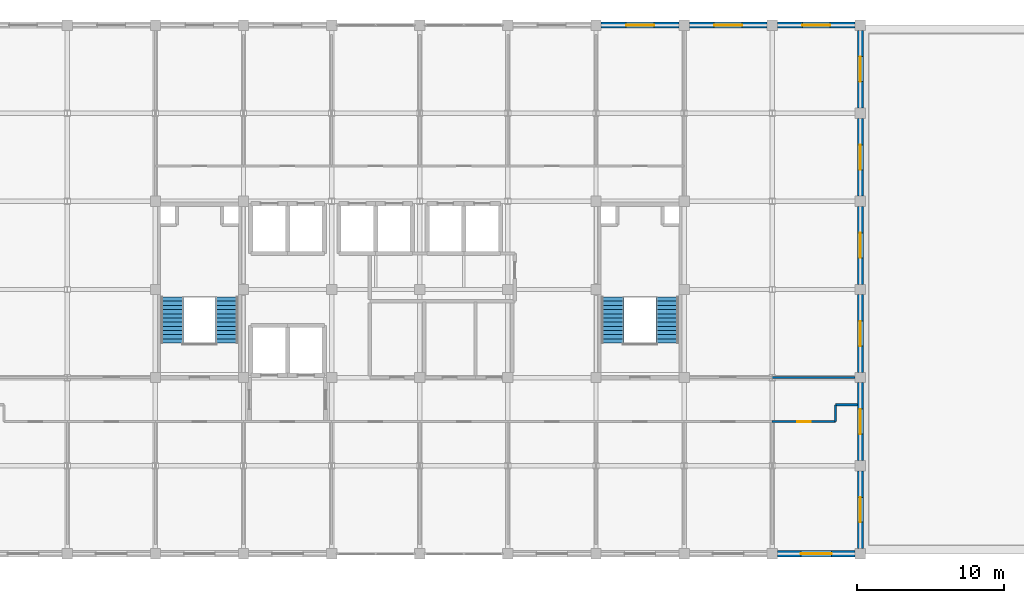
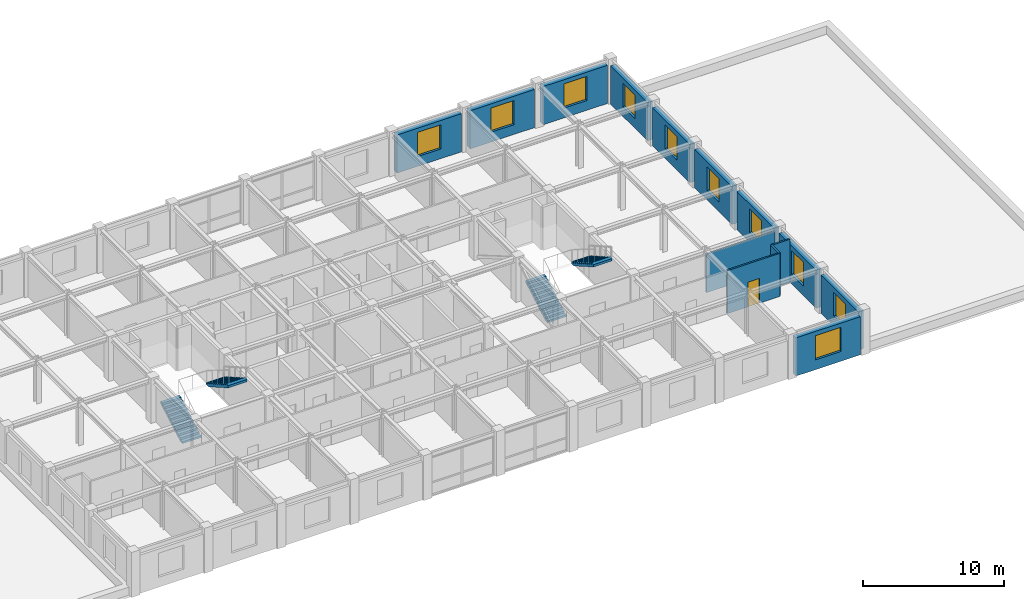
# One storey, part 11 of 13: 14 walls, 10 windows, 4 stair flights, 1 door, 11 openings, 2 elements without a shape of their own.
"""IFC4 building model written with IfcOpenShell, lengths in metres."""

from ifc_helpers import new_model, si_unit, direction, frame, frame_2d, origin, place, context, subcontext, project, spatial, polyline, rectangle, outline, extrude, material, layer, layer_set, type_object, element, fill, aggregate, save


model = new_model("IFC4")

# Units and contexts
model_context = context("Model", 3, precision=1e-05, world=origin(), true_north=direction((0.0, 1.0)))
body_context = subcontext(model_context, "Body", "Model", "MODEL_VIEW")
ifc_project = project(units=[si_unit("LENGTHUNIT", "METRE"), si_unit("AREAUNIT", "SQUARE_METRE"), si_unit("VOLUMEUNIT", "CUBIC_METRE"), si_unit("PLANEANGLEUNIT", "RADIAN"), si_unit("MASSUNIT", "GRAM", prefix="KILO")], contexts=[model_context])

# Site, building, storey
site_placement = place(None, origin())
site = spatial("IfcSite", under=ifc_project, at=site_placement, CompositionType="ELEMENT")
building_placement = place(site_placement, origin())
building = spatial("IfcBuilding", under=site, at=building_placement, Name="Zlatovratsky Civic Hall", CompositionType="ELEMENT")
storey_placement = place(building_placement, frame((0.0, 0.0, 24.89990234375)))
storey = spatial("IfcBuildingStorey", under=building, at=storey_placement, Name="L06", CompositionType="ELEMENT", Elevation=24.89990234375)

# Wall, opening, door
ifc_material_1 = material(Name="Fire-rated gypsum board framing", Category="gypsum")
ifc_layer_1 = layer(ifc_material_1, 0.139892578125)
ifc_layer_set_1 = layer_set([ifc_layer_1], Name="Fire-rated gypsum board framing")
wall_type_1 = type_object("IfcWallType", Name="Wall_OfficePartition_140", PredefinedType="PARTITIONING", material=ifc_layer_set_1)
wall_1_placement = place(storey_placement, frame((108.0, 81.0, 0.0), z_axis=(0.0, 0.0, 1.0), x_axis=(1.0, 0.0, 0.0)))
wall_1 = element("IfcWall", 1, at=wall_1_placement, inside=storey, type_object=wall_type_1, Name="WL-6311", PredefinedType="PARTITIONING", context=body_context, shape_type="SweptSolid", body=[
    extrude(rectangle(XDim=4.300048828125, YDim=0.139892578125, at=frame_2d((2.14990234375, 0.0))), origin(), (0.0, 0.0, 1.0), 3.739990234375),
])
opening_1_placement = place(wall_1_placement, frame((1.68994140625, 0.0, 0.0)))
opening_1 = element("IfcOpeningElement", 2, at=opening_1_placement, cuts=wall_1, Name="Opening D-23", PredefinedType="OPENING", context=body_context, shape_type="SweptSolid", body=[
    extrude(rectangle(XDim=0.919921875, YDim=2.14990234375, at=frame_2d((0.4599609375, 1.074951171875))), frame((0.0, 0.0849609375, 0.0), z_axis=(0.0, -1.0, 0.0), x_axis=(1.0, 0.0, 0.0)), (0.0, 0.0, 1.0), 0.169677734375),
])
ifc_material_2 = material(Name="Solid oak joinery in steel frame", Category="steel")
door_type = type_object("IfcDoorType", Name="Door_OfficeStandard_920x2150", OperationType="NOTDEFINED", PredefinedType="DOOR", material=ifc_material_2)
door_placement = place(opening_1_placement, origin())
door = element("IfcDoor", 3, at=door_placement, inside=storey, type_object=door_type, Name="DR-5368", OperationType="SINGLE_SWING_RIGHT", OverallHeight=2.14990234375, OverallWidth=0.919921875, PredefinedType="DOOR", context=body_context, shape_type="SweptSolid", body=[
    extrude(rectangle(XDim=0.919921875, YDim=2.14990234375, at=frame_2d((0.4599609375, 1.074951171875))), frame((0.0, 0.02490234375, 0.0), z_axis=(0.0, -1.0, 0.0), x_axis=(1.0, 0.0, 0.0)), (0.0, 0.0, 1.0), 0.050048828125),
])
fill(opening_1, door)

# Walls
wall_2_placement = place(storey_placement, frame((112.300048828125, 81.0, 0.0), z_axis=(0.0, 0.0, 1.0), x_axis=(0.0, 1.0, 0.0)))
element("IfcWall", 4, at=wall_2_placement, inside=storey, type_object=wall_type_1, Name="WL-6341", PredefinedType="PARTITIONING", context=body_context, shape_type="SweptSolid", body=[
    extrude(rectangle(XDim=1.14990234375, YDim=0.139892578125, at=frame_2d((0.574951171875, 0.0))), origin(), (0.0, 0.0, 1.0), 3.739990234375),
])
wall_3_placement = place(storey_placement, frame((112.300048828125, 82.14990234375, 0.0), z_axis=(0.0, 0.0, 1.0), x_axis=(1.0, 0.0, 0.0)))
element("IfcWall", 5, at=wall_3_placement, inside=storey, type_object=wall_type_1, Name="WL-6342", PredefinedType="PARTITIONING", context=body_context, shape_type="SweptSolid", body=[
    extrude(rectangle(XDim=1.489990234375, YDim=0.139892578125, at=frame_2d((0.7451171875, 0.0))), origin(), (0.0, 0.0, 1.0), 3.739990234375),
])
wall_4_placement = place(storey_placement, frame((108.0, 84.0, 0.0), z_axis=(0.0, 0.0, 1.0), x_axis=(1.0, 0.0, 0.0)))
element("IfcWall", 6, at=wall_4_placement, inside=storey, type_object=wall_type_1, Name="WL-6346", PredefinedType="PARTITIONING", context=body_context, shape_type="SweptSolid", body=[
    extrude(rectangle(XDim=5.64990234375, YDim=0.139892578125, at=frame_2d((2.824951171875, 0.0))), origin(), (0.0, 0.0, 1.0), 3.35205078125),
])

# Wall, opening, window
ifc_material_3 = material(Name="Acoustic ceramic blockwork", Category="masonry")
ifc_layer_2 = layer(ifc_material_3, 0.280029296875, Name="Backing")
ifc_material_4 = material(Name="Podolsk limestone ashlar", Category="masonry")
ifc_layer_3 = layer(ifc_material_4, 0.139892578125, Name="Finish")
ifc_layer_set_2 = layer_set([ifc_layer_2, ifc_layer_3], Name="Acoustic ceramic blockwork")
wall_type_2 = type_object("IfcWallType", Name="Wall_TowerLimestoneAshlar_420", PredefinedType="SOLIDWALL", material=ifc_layer_set_2)
wall_5_placement = place(storey_placement, frame((108.35009765625, 72.0, 0.0), z_axis=(0.0, 0.0, 1.0), x_axis=(1.0, 0.0, 0.0)))
wall_5 = element("IfcWall", 7, at=wall_5_placement, inside=storey, type_object=wall_type_2, Name="WL-0424", PredefinedType="SOLIDWALL", context=body_context, shape_type="SweptSolid", body=[
    extrude(rectangle(XDim=5.2998046875, YDim=0.419921875, at=frame_2d((2.64990234375, 0.0))), origin(), (0.0, 0.0, 1.0), 3.320068359375),
])
opening_2_placement = place(wall_5_placement, frame((1.60009765625, 0.0, 0.85009765625)))
opening_2 = element("IfcOpeningElement", 8, at=opening_2_placement, cuts=wall_5, Name="Opening WN-14", PredefinedType="OPENING", context=body_context, shape_type="SweptSolid", body=[
    extrude(rectangle(XDim=2.10009765625, YDim=2.10009765625, at=frame_2d((1.050048828125, 1.050048828125))), frame((0.0, 0.224853515625, 0.0), z_axis=(0.0, -1.0, 0.0), x_axis=(1.0, 0.0, 0.0)), (0.0, 0.0, 1.0), 0.44970703125),
])
ifc_material_5 = material(Name="Low-E laminated double glazing", Category="glass")
window_type_1 = type_object("IfcWindowType", Name="Window_TowerTier1South_2100x2100", PartitioningType="SINGLE_PANEL", PredefinedType="WINDOW", material=ifc_material_5)
window_1_placement = place(opening_2_placement, origin())
window_1 = element("IfcWindow", 9, at=window_1_placement, inside=storey, type_object=window_type_1, Name="WN-0328", OverallHeight=2.10009765625, OverallWidth=2.10009765625, PartitioningType="SINGLE_PANEL", PredefinedType="WINDOW", context=body_context, shape_type="SweptSolid", body=[
    extrude(rectangle(XDim=2.10009765625, YDim=2.10009765625, at=frame_2d((1.050048828125, 1.050048828125))), frame((0.0, 0.030029296875, 0.0), z_axis=(0.0, -1.0, 0.0), x_axis=(1.0, 0.0, 0.0)), (0.0, 0.0, 1.0), 0.06005859375),
])
fill(opening_2, window_1)

wall_6_placement = place(storey_placement, frame((96.35009765625, 108.0, 0.0), z_axis=(0.0, 0.0, 1.0), x_axis=(1.0, 0.0, 0.0)))
wall_6 = element("IfcWall", 10, at=wall_6_placement, inside=storey, type_object=wall_type_2, Name="WL-0430", PredefinedType="SOLIDWALL", context=body_context, shape_type="SweptSolid", body=[
    extrude(rectangle(XDim=5.2998046875, YDim=0.419921875, at=frame_2d((2.64990234375, 0.0))), origin(), (0.0, 0.0, 1.0), 3.320068359375),
])
opening_3_placement = place(wall_6_placement, frame((1.699951171875, 0.0, 0.85009765625)))
opening_3 = element("IfcOpeningElement", 11, at=opening_3_placement, cuts=wall_6, Name="Opening WN-15", PredefinedType="OPENING", context=body_context, shape_type="SweptSolid", body=[
    extrude(rectangle(XDim=1.89990234375, YDim=2.10009765625, at=frame_2d((0.949951171875, 1.050048828125))), frame((0.0, 0.224853515625, 0.0), z_axis=(0.0, -1.0, 0.0), x_axis=(1.0, 0.0, 0.0)), (0.0, 0.0, 1.0), 0.44970703125),
])
window_type_2 = type_object("IfcWindowType", Name="Window_TowerTier1North_1900x2100", PartitioningType="SINGLE_PANEL", PredefinedType="WINDOW", material=ifc_material_5)
window_2_placement = place(opening_3_placement, origin())
window_2 = element("IfcWindow", 12, at=window_2_placement, inside=storey, type_object=window_type_2, Name="WN-0334", OverallHeight=2.10009765625, OverallWidth=1.89990234375, PartitioningType="SINGLE_PANEL", PredefinedType="WINDOW", context=body_context, shape_type="SweptSolid", body=[
    extrude(rectangle(XDim=1.89990234375, YDim=2.10009765625, at=frame_2d((0.949951171875, 1.050048828125))), frame((0.0, 0.030029296875, 0.0), z_axis=(0.0, -1.0, 0.0), x_axis=(1.0, 0.0, 0.0)), (0.0, 0.0, 1.0), 0.06005859375),
])
fill(opening_3, window_2)

wall_7_placement = place(storey_placement, frame((102.35009765625, 108.0, 0.0), z_axis=(0.0, 0.0, 1.0), x_axis=(1.0, 0.0, 0.0)))
wall_7 = element("IfcWall", 13, at=wall_7_placement, inside=storey, type_object=wall_type_2, Name="WL-0431", PredefinedType="SOLIDWALL", context=body_context, shape_type="SweptSolid", body=[
    extrude(rectangle(XDim=5.2998046875, YDim=0.419921875, at=frame_2d((2.64990234375, 0.0))), origin(), (0.0, 0.0, 1.0), 3.320068359375),
])
opening_4_placement = place(wall_7_placement, frame((1.699951171875, 0.0, 0.85009765625)))
opening_4 = element("IfcOpeningElement", 14, at=opening_4_placement, cuts=wall_7, Name="Opening WN-15", PredefinedType="OPENING", context=body_context, shape_type="SweptSolid", body=[
    extrude(rectangle(XDim=1.89990234375, YDim=2.10009765625, at=frame_2d((0.949951171875, 1.050048828125))), frame((0.0, 0.224853515625, 0.0), z_axis=(0.0, -1.0, 0.0), x_axis=(1.0, 0.0, 0.0)), (0.0, 0.0, 1.0), 0.44970703125),
])
window_3_placement = place(opening_4_placement, origin())
window_3 = element("IfcWindow", 15, at=window_3_placement, inside=storey, type_object=window_type_2, Name="WN-0335", OverallHeight=2.10009765625, OverallWidth=1.89990234375, PartitioningType="SINGLE_PANEL", PredefinedType="WINDOW", context=body_context, shape_type="SweptSolid", body=[
    extrude(rectangle(XDim=1.89990234375, YDim=2.10009765625, at=frame_2d((0.949951171875, 1.050048828125))), frame((0.0, 0.030029296875, 0.0), z_axis=(0.0, -1.0, 0.0), x_axis=(1.0, 0.0, 0.0)), (0.0, 0.0, 1.0), 0.06005859375),
])
fill(opening_4, window_3)

wall_8_placement = place(storey_placement, frame((108.35009765625, 108.0, 0.0), z_axis=(0.0, 0.0, 1.0), x_axis=(1.0, 0.0, 0.0)))
wall_8 = element("IfcWall", 16, at=wall_8_placement, inside=storey, type_object=wall_type_2, Name="WL-0432", PredefinedType="SOLIDWALL", context=body_context, shape_type="SweptSolid", body=[
    extrude(rectangle(XDim=5.2998046875, YDim=0.419921875, at=frame_2d((2.64990234375, 0.0))), origin(), (0.0, 0.0, 1.0), 3.320068359375),
])
opening_5_placement = place(wall_8_placement, frame((1.699951171875, 0.0, 0.85009765625)))
opening_5 = element("IfcOpeningElement", 17, at=opening_5_placement, cuts=wall_8, Name="Opening WN-15", PredefinedType="OPENING", context=body_context, shape_type="SweptSolid", body=[
    extrude(rectangle(XDim=1.89990234375, YDim=2.10009765625, at=frame_2d((0.949951171875, 1.050048828125))), frame((0.0, 0.224853515625, 0.0), z_axis=(0.0, -1.0, 0.0), x_axis=(1.0, 0.0, 0.0)), (0.0, 0.0, 1.0), 0.44970703125),
])
window_4_placement = place(opening_5_placement, origin())
window_4 = element("IfcWindow", 18, at=window_4_placement, inside=storey, type_object=window_type_2, Name="WN-0336", OverallHeight=2.10009765625, OverallWidth=1.89990234375, PartitioningType="SINGLE_PANEL", PredefinedType="WINDOW", context=body_context, shape_type="SweptSolid", body=[
    extrude(rectangle(XDim=1.89990234375, YDim=2.10009765625, at=frame_2d((0.949951171875, 1.050048828125))), frame((0.0, 0.030029296875, 0.0), z_axis=(0.0, -1.0, 0.0), x_axis=(1.0, 0.0, 0.0)), (0.0, 0.0, 1.0), 0.06005859375),
])
fill(opening_5, window_4)

wall_9_placement = place(storey_placement, frame((114.0, 72.35009765625, 0.0), z_axis=(0.0, 0.0, 1.0), x_axis=(0.0, 1.0, 0.0)))
wall_9 = element("IfcWall", 19, at=wall_9_placement, inside=storey, type_object=wall_type_2, Name="WL-0439", PredefinedType="SOLIDWALL", context=body_context, shape_type="SweptSolid", body=[
    extrude(rectangle(XDim=5.2998046875, YDim=0.419921875, at=frame_2d((2.64990234375, 0.0))), origin(), (0.0, 0.0, 1.0), 3.320068359375),
])
opening_6_placement = place(wall_9_placement, frame((1.800048828125, 0.0, 0.85009765625)))
opening_6 = element("IfcOpeningElement", 20, at=opening_6_placement, cuts=wall_9, Name="Opening WN-16", PredefinedType="OPENING", context=body_context, shape_type="SweptSolid", body=[
    extrude(rectangle(XDim=1.699951171875, YDim=2.050048828125, at=frame_2d((0.85009765625, 1.02490234375))), frame((0.0, 0.224853515625, 0.0), z_axis=(0.0, -1.0, 0.0), x_axis=(1.0, 0.0, 0.0)), (0.0, 0.0, 1.0), 0.44970703125),
])
window_type_3 = type_object("IfcWindowType", Name="Window_TowerTier1Flank_1700x2050", PartitioningType="SINGLE_PANEL", PredefinedType="WINDOW", material=ifc_material_5)
window_5_placement = place(opening_6_placement, origin())
window_5 = element("IfcWindow", 21, at=window_5_placement, inside=storey, type_object=window_type_3, Name="WN-0343", OverallHeight=2.050048828125, OverallWidth=1.699951171875, PartitioningType="SINGLE_PANEL", PredefinedType="WINDOW", context=body_context, shape_type="SweptSolid", body=[
    extrude(rectangle(XDim=1.699951171875, YDim=2.050048828125, at=frame_2d((0.85009765625, 1.02490234375))), frame((0.0, 0.030029296875, 0.0), z_axis=(0.0, -1.0, 0.0), x_axis=(1.0, 0.0, 0.0)), (0.0, 0.0, 1.0), 0.06005859375),
])
fill(opening_6, window_5)

wall_10_placement = place(storey_placement, frame((114.0, 78.35009765625, 0.0), z_axis=(0.0, 0.0, 1.0), x_axis=(0.0, 1.0, 0.0)))
wall_10 = element("IfcWall", 22, at=wall_10_placement, inside=storey, type_object=wall_type_2, Name="WL-0440", PredefinedType="SOLIDWALL", context=body_context, shape_type="SweptSolid", body=[
    extrude(rectangle(XDim=5.2998046875, YDim=0.419921875, at=frame_2d((2.64990234375, 0.0))), origin(), (0.0, 0.0, 1.0), 3.320068359375),
])
opening_7_placement = place(wall_10_placement, frame((1.800048828125, 0.0, 0.85009765625)))
opening_7 = element("IfcOpeningElement", 23, at=opening_7_placement, cuts=wall_10, Name="Opening WN-16", PredefinedType="OPENING", context=body_context, shape_type="SweptSolid", body=[
    extrude(rectangle(XDim=1.699951171875, YDim=2.050048828125, at=frame_2d((0.85009765625, 1.02490234375))), frame((0.0, 0.224853515625, 0.0), z_axis=(0.0, -1.0, 0.0), x_axis=(1.0, 0.0, 0.0)), (0.0, 0.0, 1.0), 0.44970703125),
])
window_6_placement = place(opening_7_placement, origin())
window_6 = element("IfcWindow", 24, at=window_6_placement, inside=storey, type_object=window_type_3, Name="WN-0344", OverallHeight=2.050048828125, OverallWidth=1.699951171875, PartitioningType="SINGLE_PANEL", PredefinedType="WINDOW", context=body_context, shape_type="SweptSolid", body=[
    extrude(rectangle(XDim=1.699951171875, YDim=2.050048828125, at=frame_2d((0.85009765625, 1.02490234375))), frame((0.0, 0.030029296875, 0.0), z_axis=(0.0, -1.0, 0.0), x_axis=(1.0, 0.0, 0.0)), (0.0, 0.0, 1.0), 0.06005859375),
])
fill(opening_7, window_6)

wall_11_placement = place(storey_placement, frame((114.0, 84.35009765625, 0.0), z_axis=(0.0, 0.0, 1.0), x_axis=(0.0, 1.0, 0.0)))
wall_11 = element("IfcWall", 25, at=wall_11_placement, inside=storey, type_object=wall_type_2, Name="WL-0441", PredefinedType="SOLIDWALL", context=body_context, shape_type="SweptSolid", body=[
    extrude(rectangle(XDim=5.2998046875, YDim=0.419921875, at=frame_2d((2.64990234375, 0.0))), origin(), (0.0, 0.0, 1.0), 3.320068359375),
])
opening_8_placement = place(wall_11_placement, frame((1.800048828125, 0.0, 0.85009765625)))
opening_8 = element("IfcOpeningElement", 26, at=opening_8_placement, cuts=wall_11, Name="Opening WN-16", PredefinedType="OPENING", context=body_context, shape_type="SweptSolid", body=[
    extrude(rectangle(XDim=1.699951171875, YDim=2.050048828125, at=frame_2d((0.85009765625, 1.02490234375))), frame((0.0, 0.224853515625, 0.0), z_axis=(0.0, -1.0, 0.0), x_axis=(1.0, 0.0, 0.0)), (0.0, 0.0, 1.0), 0.44970703125),
])
window_7_placement = place(opening_8_placement, origin())
window_7 = element("IfcWindow", 27, at=window_7_placement, inside=storey, type_object=window_type_3, Name="WN-0345", OverallHeight=2.050048828125, OverallWidth=1.699951171875, PartitioningType="SINGLE_PANEL", PredefinedType="WINDOW", context=body_context, shape_type="SweptSolid", body=[
    extrude(rectangle(XDim=1.699951171875, YDim=2.050048828125, at=frame_2d((0.85009765625, 1.02490234375))), frame((0.0, 0.030029296875, 0.0), z_axis=(0.0, -1.0, 0.0), x_axis=(1.0, 0.0, 0.0)), (0.0, 0.0, 1.0), 0.06005859375),
])
fill(opening_8, window_7)

wall_12_placement = place(storey_placement, frame((114.0, 90.35009765625, 0.0), z_axis=(0.0, 0.0, 1.0), x_axis=(0.0, 1.0, 0.0)))
wall_12 = element("IfcWall", 28, at=wall_12_placement, inside=storey, type_object=wall_type_2, Name="WL-0442", PredefinedType="SOLIDWALL", context=body_context, shape_type="SweptSolid", body=[
    extrude(rectangle(XDim=5.2998046875, YDim=0.419921875, at=frame_2d((2.64990234375, 0.0))), origin(), (0.0, 0.0, 1.0), 3.320068359375),
])
opening_9_placement = place(wall_12_placement, frame((1.800048828125, 0.0, 0.85009765625)))
opening_9 = element("IfcOpeningElement", 29, at=opening_9_placement, cuts=wall_12, Name="Opening WN-16", PredefinedType="OPENING", context=body_context, shape_type="SweptSolid", body=[
    extrude(rectangle(XDim=1.699951171875, YDim=2.050048828125, at=frame_2d((0.85009765625, 1.02490234375))), frame((0.0, 0.224853515625, 0.0), z_axis=(0.0, -1.0, 0.0), x_axis=(1.0, 0.0, 0.0)), (0.0, 0.0, 1.0), 0.44970703125),
])
window_8_placement = place(opening_9_placement, origin())
window_8 = element("IfcWindow", 30, at=window_8_placement, inside=storey, type_object=window_type_3, Name="WN-0346", OverallHeight=2.050048828125, OverallWidth=1.699951171875, PartitioningType="SINGLE_PANEL", PredefinedType="WINDOW", context=body_context, shape_type="SweptSolid", body=[
    extrude(rectangle(XDim=1.699951171875, YDim=2.050048828125, at=frame_2d((0.85009765625, 1.02490234375))), frame((0.0, 0.030029296875, 0.0), z_axis=(0.0, -1.0, 0.0), x_axis=(1.0, 0.0, 0.0)), (0.0, 0.0, 1.0), 0.06005859375),
])
fill(opening_9, window_8)

wall_13_placement = place(storey_placement, frame((114.0, 96.35009765625, 0.0), z_axis=(0.0, 0.0, 1.0), x_axis=(0.0, 1.0, 0.0)))
wall_13 = element("IfcWall", 31, at=wall_13_placement, inside=storey, type_object=wall_type_2, Name="WL-0443", PredefinedType="SOLIDWALL", context=body_context, shape_type="SweptSolid", body=[
    extrude(rectangle(XDim=5.2998046875, YDim=0.419921875, at=frame_2d((2.64990234375, 0.0))), origin(), (0.0, 0.0, 1.0), 3.320068359375),
])
opening_10_placement = place(wall_13_placement, frame((1.800048828125, 0.0, 0.85009765625)))
opening_10 = element("IfcOpeningElement", 32, at=opening_10_placement, cuts=wall_13, Name="Opening WN-16", PredefinedType="OPENING", context=body_context, shape_type="SweptSolid", body=[
    extrude(rectangle(XDim=1.699951171875, YDim=2.050048828125, at=frame_2d((0.85009765625, 1.02490234375))), frame((0.0, 0.224853515625, 0.0), z_axis=(0.0, -1.0, 0.0), x_axis=(1.0, 0.0, 0.0)), (0.0, 0.0, 1.0), 0.44970703125),
])
window_9_placement = place(opening_10_placement, origin())
window_9 = element("IfcWindow", 33, at=window_9_placement, inside=storey, type_object=window_type_3, Name="WN-0347", OverallHeight=2.050048828125, OverallWidth=1.699951171875, PartitioningType="SINGLE_PANEL", PredefinedType="WINDOW", context=body_context, shape_type="SweptSolid", body=[
    extrude(rectangle(XDim=1.699951171875, YDim=2.050048828125, at=frame_2d((0.85009765625, 1.02490234375))), frame((0.0, 0.030029296875, 0.0), z_axis=(0.0, -1.0, 0.0), x_axis=(1.0, 0.0, 0.0)), (0.0, 0.0, 1.0), 0.06005859375),
])
fill(opening_10, window_9)

wall_14_placement = place(storey_placement, frame((114.0, 102.35009765625, 0.0), z_axis=(0.0, 0.0, 1.0), x_axis=(0.0, 1.0, 0.0)))
wall_14 = element("IfcWall", 34, at=wall_14_placement, inside=storey, type_object=wall_type_2, Name="WL-0444", PredefinedType="SOLIDWALL", context=body_context, shape_type="SweptSolid", body=[
    extrude(rectangle(XDim=5.2998046875, YDim=0.419921875, at=frame_2d((2.64990234375, 0.0))), origin(), (0.0, 0.0, 1.0), 3.320068359375),
])
opening_11_placement = place(wall_14_placement, frame((1.800048828125, 0.0, 0.85009765625)))
opening_11 = element("IfcOpeningElement", 35, at=opening_11_placement, cuts=wall_14, Name="Opening WN-16", PredefinedType="OPENING", context=body_context, shape_type="SweptSolid", body=[
    extrude(rectangle(XDim=1.699951171875, YDim=2.050048828125, at=frame_2d((0.85009765625, 1.02490234375))), frame((0.0, 0.224853515625, 0.0), z_axis=(0.0, -1.0, 0.0), x_axis=(1.0, 0.0, 0.0)), (0.0, 0.0, 1.0), 0.44970703125),
])
window_10_placement = place(opening_11_placement, origin())
window_10 = element("IfcWindow", 36, at=window_10_placement, inside=storey, type_object=window_type_3, Name="WN-0348", OverallHeight=2.050048828125, OverallWidth=1.699951171875, PartitioningType="SINGLE_PANEL", PredefinedType="WINDOW", context=body_context, shape_type="SweptSolid", body=[
    extrude(rectangle(XDim=1.699951171875, YDim=2.050048828125, at=frame_2d((0.85009765625, 1.02490234375))), frame((0.0, 0.030029296875, 0.0), z_axis=(0.0, -1.0, 0.0), x_axis=(1.0, 0.0, 0.0)), (0.0, 0.0, 1.0), 0.06005859375),
])
fill(opening_11, window_10)

# Stair, stair flights
ifc_material_6 = material(Name="Concrete C30/37 (B35)", Category="concrete")
stair_type = type_object("IfcStairType", Name="Stair_HALF_24R_1550W_04", PredefinedType="HALF_TURN_STAIR", material=ifc_material_6)
stair_1_placement = place(storey_placement, origin())
stair_1 = element("IfcStair", 37, at=stair_1_placement, inside=storey, type_object=stair_type, Name="ST-007", PredefinedType="HALF_TURN_STAIR")
stair_flight_type = type_object("IfcStairFlightType", Name="StairFlight_12R_1550W_04", PredefinedType="STRAIGHT", material=ifc_material_6)
stair_flight_1_placement = place(storey_placement, frame((67.125, 86.35009765625, 0.0), z_axis=(0.0, 0.0, 1.0), x_axis=(0.0, 1.0, 0.0)))
stair_flight_1 = element("IfcStairFlight", 38, at=stair_flight_1_placement, type_object=stair_flight_type, Name="ST-007-F1", NumberOfRisers=12, NumberOfTreads=11, PredefinedType="STRAIGHT", RiserHeight=0.1625, TreadLength=0.285, context=body_context, shape_type="SweptSolid", body=[
    extrude(outline(polyline([(0.0, 0.0), (0.0, 0.16259765625), (0.284912109375, 0.16259765625), (0.284912109375, 0.324951171875), (0.570068359375, 0.324951171875), (0.570068359375, 0.487548828125), (0.85498046875, 0.487548828125), (0.85498046875, 0.64990234375), (1.139892578125, 0.64990234375), (1.139892578125, 0.8125), (1.425048828125, 0.8125), (1.425048828125, 0.97509765625), (1.7099609375, 0.97509765625), (1.7099609375, 1.137451171875), (1.9951171875, 1.137451171875), (1.9951171875, 1.300048828125), (2.280029296875, 1.300048828125), (2.280029296875, 1.46240234375), (2.56494140625, 1.46240234375), (2.56494140625, 1.625), (2.85009765625, 1.625), (2.85009765625, 1.78759765625), (3.135009765625, 1.78759765625), (3.135009765625, 1.949951171875), (3.135009765625, 1.580322265625), (0.36328125, 0.0), (0.0, 0.0)])), frame((0.0, 0.77490234375, 0.0), z_axis=(0.0, -1.0, 0.0), x_axis=(1.0, 0.0, 0.0)), (0.0, 0.0, 1.0), 1.550048828125),
])
stair_flight_2_placement = place(storey_placement, frame((70.875, 89.485107421875, 1.9501953125), z_axis=(0.0, 0.0, 1.0), x_axis=(0.0, -1.0, 0.0)))
stair_flight_2 = element("IfcStairFlight", 39, at=stair_flight_2_placement, type_object=stair_flight_type, Name="ST-007-F2", NumberOfRisers=12, NumberOfTreads=11, PredefinedType="STRAIGHT", RiserHeight=0.1625, TreadLength=0.285, context=body_context, shape_type="SweptSolid", body=[
    extrude(outline(polyline([(0.0, 0.0), (0.0, 0.16259765625), (0.284912109375, 0.16259765625), (0.284912109375, 0.324951171875), (0.570068359375, 0.324951171875), (0.570068359375, 0.487548828125), (0.85498046875, 0.487548828125), (0.85498046875, 0.64990234375), (1.139892578125, 0.64990234375), (1.139892578125, 0.8125), (1.425048828125, 0.8125), (1.425048828125, 0.97509765625), (1.7099609375, 0.97509765625), (1.7099609375, 1.137451171875), (1.9951171875, 1.137451171875), (1.9951171875, 1.300048828125), (2.280029296875, 1.300048828125), (2.280029296875, 1.46240234375), (2.56494140625, 1.46240234375), (2.56494140625, 1.625), (2.85009765625, 1.625), (2.85009765625, 1.78759765625), (3.135009765625, 1.78759765625), (3.135009765625, 1.949951171875), (3.135009765625, 1.580322265625), (0.36328125, 0.0), (0.0, 0.0)])), frame((0.0, 0.77490234375, 0.0), z_axis=(0.0, -1.0, 0.0), x_axis=(1.0, 0.0, 0.0)), (0.0, 0.0, 1.0), 1.550048828125),
])
aggregate(stair_1, [stair_flight_1, stair_flight_2])

stair_2_placement = place(storey_placement, origin())
stair_2 = element("IfcStair", 40, at=stair_2_placement, inside=storey, type_object=stair_type, Name="ST-026", PredefinedType="HALF_TURN_STAIR")
stair_flight_3_placement = place(storey_placement, frame((97.125, 86.35009765625, 0.0), z_axis=(0.0, 0.0, 1.0), x_axis=(0.0, 1.0, 0.0)))
stair_flight_3 = element("IfcStairFlight", 41, at=stair_flight_3_placement, type_object=stair_flight_type, Name="ST-026-F1", NumberOfRisers=12, NumberOfTreads=11, PredefinedType="STRAIGHT", RiserHeight=0.1625, TreadLength=0.285, context=body_context, shape_type="SweptSolid", body=[
    extrude(outline(polyline([(0.0, 0.0), (0.0, 0.16259765625), (0.284912109375, 0.16259765625), (0.284912109375, 0.324951171875), (0.570068359375, 0.324951171875), (0.570068359375, 0.487548828125), (0.85498046875, 0.487548828125), (0.85498046875, 0.64990234375), (1.139892578125, 0.64990234375), (1.139892578125, 0.8125), (1.425048828125, 0.8125), (1.425048828125, 0.97509765625), (1.7099609375, 0.97509765625), (1.7099609375, 1.137451171875), (1.9951171875, 1.137451171875), (1.9951171875, 1.300048828125), (2.280029296875, 1.300048828125), (2.280029296875, 1.46240234375), (2.56494140625, 1.46240234375), (2.56494140625, 1.625), (2.85009765625, 1.625), (2.85009765625, 1.78759765625), (3.135009765625, 1.78759765625), (3.135009765625, 1.949951171875), (3.135009765625, 1.580322265625), (0.36328125, 0.0), (0.0, 0.0)])), frame((0.0, 0.77490234375, 0.0), z_axis=(0.0, -1.0, 0.0), x_axis=(1.0, 0.0, 0.0)), (0.0, 0.0, 1.0), 1.550048828125),
])
stair_flight_4_placement = place(storey_placement, frame((100.875, 89.485107421875, 1.9501953125), z_axis=(0.0, 0.0, 1.0), x_axis=(0.0, -1.0, 0.0)))
stair_flight_4 = element("IfcStairFlight", 42, at=stair_flight_4_placement, type_object=stair_flight_type, Name="ST-026-F2", NumberOfRisers=12, NumberOfTreads=11, PredefinedType="STRAIGHT", RiserHeight=0.1625, TreadLength=0.285, context=body_context, shape_type="SweptSolid", body=[
    extrude(outline(polyline([(0.0, 0.0), (0.0, 0.16259765625), (0.284912109375, 0.16259765625), (0.284912109375, 0.324951171875), (0.570068359375, 0.324951171875), (0.570068359375, 0.487548828125), (0.85498046875, 0.487548828125), (0.85498046875, 0.64990234375), (1.139892578125, 0.64990234375), (1.139892578125, 0.8125), (1.425048828125, 0.8125), (1.425048828125, 0.97509765625), (1.7099609375, 0.97509765625), (1.7099609375, 1.137451171875), (1.9951171875, 1.137451171875), (1.9951171875, 1.300048828125), (2.280029296875, 1.300048828125), (2.280029296875, 1.46240234375), (2.56494140625, 1.46240234375), (2.56494140625, 1.625), (2.85009765625, 1.625), (2.85009765625, 1.78759765625), (3.135009765625, 1.78759765625), (3.135009765625, 1.949951171875), (3.135009765625, 1.580322265625), (0.36328125, 0.0), (0.0, 0.0)])), frame((0.0, 0.77490234375, 0.0), z_axis=(0.0, -1.0, 0.0), x_axis=(1.0, 0.0, 0.0)), (0.0, 0.0, 1.0), 1.550048828125),
])
aggregate(stair_2, [stair_flight_3, stair_flight_4])

save(model, "model.ifc")
